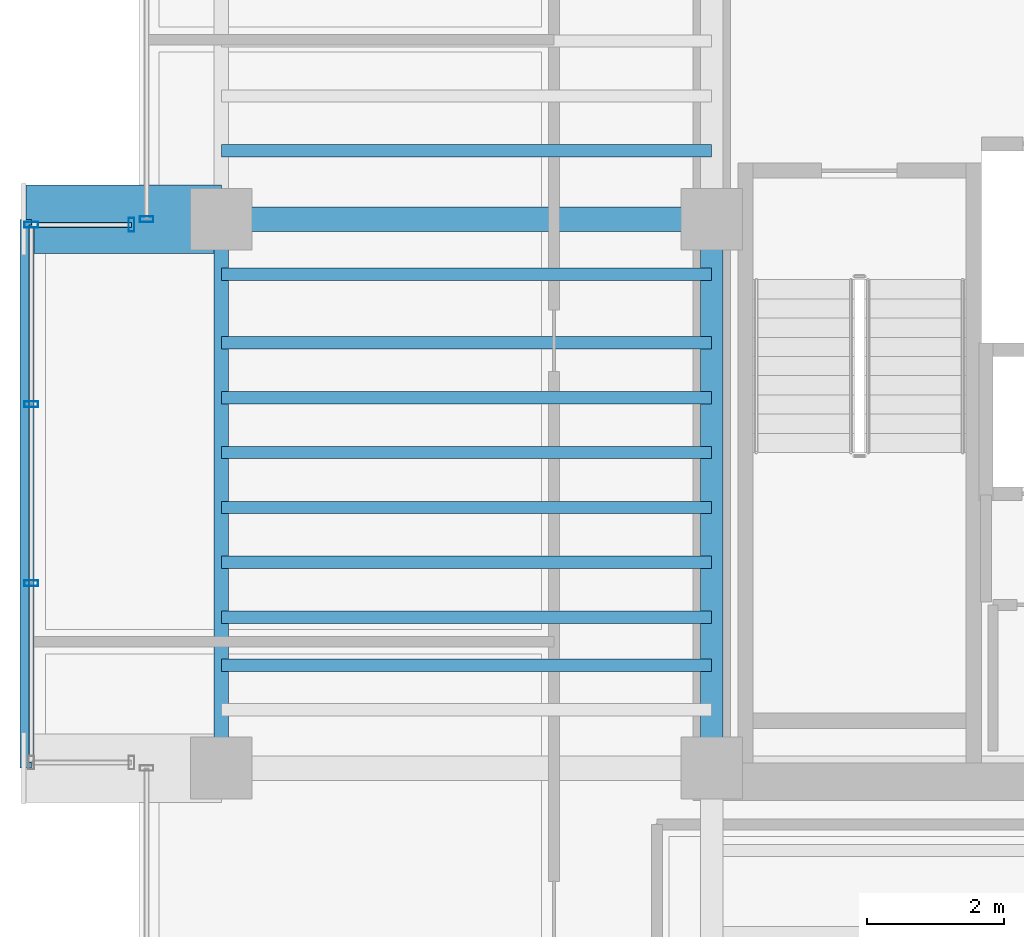
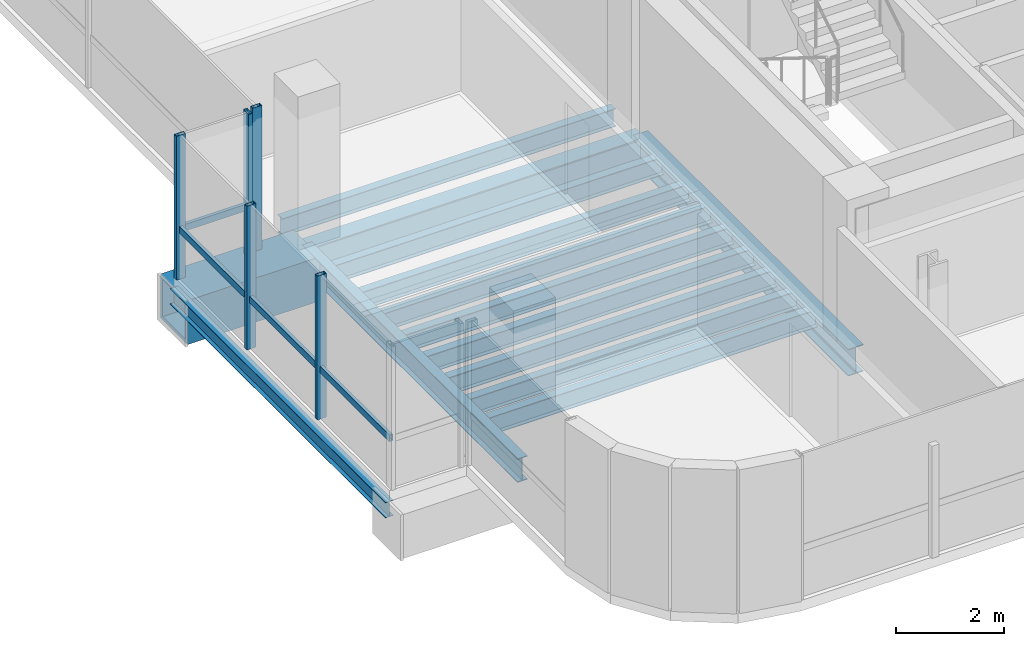
# One storey, part 4 of 22: 14 beams, 7 members, 3 elements without a shape of their own.
"""IFC4 building model written with IfcOpenShell, lengths in metres."""

import ifcopenshell
import ifcopenshell.guid

model = None  # the IFC model being written
_history = None  # IfcOwnerHistory: only IFC2X3 demands one
_inside = {}  # id of a spatial element -> (the spatial element, [elements in it])
_under = {}  # id of a project, library or spatial element -> (it, [spatial elements below it])
_declared = {}  # id of a project -> (the project, [libraries it declares])
_typed = {}  # id of a type object -> (the type object, [elements of that type])
_made_of = {}  # id of a material, layer set ... -> (it, [elements and type objects made of it])


def new_model(schema):
    """Start an empty IFC model of exactly this schema.

    Asked for "IFC4X3", IfcOpenShell would pick the latest addendum, in which some entities
    have other attributes; the version numbers below select the first issue.
    IFC2X3 requires an IfcOwnerHistory on every rooted entity: one is made here for all.
    """
    global model, _history
    if schema == "IFC4X3":
        model = ifcopenshell.file(schema_version=(4, 3, 0, 0))
    else:
        model = ifcopenshell.file(schema=schema)
    _inside.clear()
    _under.clear()
    _declared.clear()
    _typed.clear()
    _made_of.clear()
    _history = None
    if model.schema == "IFC2X3":
        org = make("IfcOrganization", Name="unknown")
        user = make(
            "IfcPersonAndOrganization",
            ThePerson=make("IfcPerson", FamilyName="unknown"),
            TheOrganization=org,
        )
        app = make(
            "IfcApplication",
            ApplicationDeveloper=org,
            Version="unknown",
            ApplicationFullName="unknown",
            ApplicationIdentifier="unknown",
        )
        _history = make(
            "IfcOwnerHistory",
            OwningUser=user,
            OwningApplication=app,
            ChangeAction="ADDED",
            CreationDate=0,
        )
    return model


def make(cls, **values):
    """One entity of the class cls with the attributes given. An attribute that is None is left unset."""
    return model.create_entity(
        cls, **{name: value for name, value in values.items() if value is not None}
    )


def rooted(cls, **values):
    """An entity with a GlobalId (a new one), such as an element, a storey or a relation."""
    return make(cls, GlobalId=ifcopenshell.guid.new(), OwnerHistory=_history, **values)


def si_unit(unit_type, name, prefix=None):
    """IfcSIUnit, for example si_unit("LENGTHUNIT", "METRE", prefix="MILLI")."""
    return make("IfcSIUnit", UnitType=unit_type, Prefix=prefix, Name=name)


def assignment(units):
    """IfcUnitAssignment: the units of a project."""
    return None if units is None else make("IfcUnitAssignment", Units=units)


def point(xyz):
    """IfcCartesianPoint."""
    return None if xyz is None else make("IfcCartesianPoint", Coordinates=xyz)


def direction(xyz):
    """IfcDirection."""
    return None if xyz is None else make("IfcDirection", DirectionRatios=xyz)


def frame(location, z_axis=None, x_axis=None):
    """IfcAxis2Placement3D, a coordinate frame: its origin and axes. An axis left out is left unset."""
    return make(
        "IfcAxis2Placement3D",
        Location=point(location),
        Axis=direction(z_axis),
        RefDirection=direction(x_axis),
    )


def frame_2d(location, x_axis=None):
    """IfcAxis2Placement2D, a coordinate frame in the plane: its origin and x axis."""
    return make(
        "IfcAxis2Placement2D", Location=point(location), RefDirection=direction(x_axis)
    )


def origin():
    """The frame at (0, 0, 0) with its axes left unset."""
    return frame((0.0, 0.0, 0.0))


def origin_2d():
    """The frame at (0, 0) in the plane with its x axis left unset."""
    return frame_2d((0.0, 0.0))


def place(relative_to, where):
    """IfcLocalPlacement: puts the frame where relative to a parent placement (None: the world)."""
    return make(
        "IfcLocalPlacement", PlacementRelTo=relative_to, RelativePlacement=where
    )


def context(
    kind, dimensions, precision=None, world=None, true_north=None, identifier=None
):
    """IfcGeometricRepresentationContext, for example the 3D "Model" context."""
    return make(
        "IfcGeometricRepresentationContext",
        ContextIdentifier=identifier,
        ContextType=kind,
        CoordinateSpaceDimension=dimensions,
        Precision=precision,
        WorldCoordinateSystem=world,
        TrueNorth=true_north,
    )


def subcontext(parent, identifier, kind, view, scale=None):
    """IfcGeometricRepresentationSubContext, for example "Body" below "Model"."""
    return make(
        "IfcGeometricRepresentationSubContext",
        ContextIdentifier=identifier,
        ContextType=kind,
        ParentContext=parent,
        TargetScale=scale,
        TargetView=view,
    )


def project(units=None, contexts=None):
    """IfcProject with its units and contexts."""
    return rooted(
        "IfcProject",
        Name="project",
        RepresentationContexts=contexts,
        UnitsInContext=assignment(units),
    )


def spatial(cls, under=None, at=None, **own):
    """A site, building, storey or space (cls), placed at a placement, below another one or the project."""
    s = rooted(cls, ObjectPlacement=at, **own)
    if under is not None:
        _under.setdefault(under.id(), (under, []))[1].append(s)
    return s


def profile(cls, at=None, kind="AREA", **sizes):
    """A parametric profile (cls). Its sizes go by their IFC names, for example OverallWidth=200.0."""
    return make(cls, ProfileType=kind, Position=at, **sizes)


def hollow_rectangle(**sizes):
    """IfcRectangleHollowProfileDef."""
    return profile("IfcRectangleHollowProfileDef", **sizes)


def i_section(**sizes):
    """IfcIShapeProfileDef."""
    return profile("IfcIShapeProfileDef", **sizes)


def extrude(swept, where, along, depth):
    """IfcExtrudedAreaSolid: the profile swept, set in the frame where, extruded along a direction by depth."""
    return make(
        "IfcExtrudedAreaSolid",
        SweptArea=swept,
        Position=where,
        ExtrudedDirection=direction(along),
        Depth=depth,
    )


def shape(context_of_items, identifier, shape_type, items):
    """IfcShapeRepresentation: the items that make up one representation, for example the "Body"."""
    return make(
        "IfcShapeRepresentation",
        ContextOfItems=context_of_items,
        RepresentationIdentifier=identifier,
        RepresentationType=shape_type,
        Items=items,
    )


def source(mapping_origin, context_of_items, identifier, shape_type, items):
    """IfcRepresentationMap: a shape defined once, which mapped items show again and again."""
    return make(
        "IfcRepresentationMap",
        MappingOrigin=mapping_origin,
        MappedRepresentation=shape(context_of_items, identifier, shape_type, items),
    )


def transform(
    local_origin,
    x_axis=None,
    y_axis=None,
    z_axis=None,
    scale=None,
    scale2=None,
    scale3=None,
    uniform=True,
):
    """IfcCartesianTransformationOperator3D, or its non-uniform kind. x_axis, y_axis, z_axis: its Axis1, 2, 3."""
    if uniform:
        return make(
            "IfcCartesianTransformationOperator3D",
            Axis1=direction(x_axis),
            Axis2=direction(y_axis),
            LocalOrigin=point(local_origin),
            Scale=scale,
            Axis3=direction(z_axis),
        )
    return make(
        "IfcCartesianTransformationOperator3DnonUniform",
        Axis1=direction(x_axis),
        Axis2=direction(y_axis),
        LocalOrigin=point(local_origin),
        Scale=scale,
        Axis3=direction(z_axis),
        Scale2=scale2,
        Scale3=scale3,
    )


def mapped(mapping_source, mapping_target):
    """IfcMappedItem: shows the shape of a source again, moved by a transform."""
    return make(
        "IfcMappedItem", MappingSource=mapping_source, MappingTarget=mapping_target
    )


def material(Name=None, Category=None):
    """IfcMaterial."""
    return make("IfcMaterial", Name=Name, Category=Category)


def material_profile(
    of_material, cross_section, Name=None, Category=None, Priority=None
):
    """IfcMaterialProfile: a cross section and its material."""
    return make(
        "IfcMaterialProfile",
        Name=Name,
        Material=of_material,
        Profile=cross_section,
        Priority=Priority,
        Category=Category,
    )


def profile_set(profiles, Name=None, composite=None):
    """IfcMaterialProfileSet."""
    return make(
        "IfcMaterialProfileSet",
        Name=Name,
        MaterialProfiles=profiles,
        CompositeProfile=composite,
    )


def made_of(thing, what):
    """Note that an element or type object is made of a material, layer set ...; save() writes the relation."""
    if what is not None:
        _made_of.setdefault(what.id(), (what, []))[1].append(thing)
    return thing


def type_object(cls, material=None, **own):
    """A type object (cls), such as IfcWallType, which elements share."""
    return made_of(rooted(cls, **own), material)


def element(
    cls,
    number,
    at=None,
    inside=None,
    cuts=None,
    type_object=None,
    material=None,
    context=None,
    identifier="Body",
    shape_type=None,
    held_by="IfcProductDefinitionShape",
    body=None,
    shapes=None,
    **own,
):
    """One element of the class cls, such as IfcWall. Its Tag is "e" and its number.

    at: its placement. inside: the storey or other place that contains it. cuts: it is an
    opening in that element (IfcRelVoidsElement). A single representation is given by context,
    identifier, shape_type and body (its items); several are given by shapes. held_by: the class
    of the entity that holds the representations. save() writes the other relations.
    """
    e = rooted(cls, Tag="e%d" % number, ObjectPlacement=at, **own)
    if body is not None:
        shapes = [shape(context, identifier, shape_type, body)]
    if shapes is not None:
        e.Representation = make(held_by, Representations=shapes)
    if inside is not None:
        _inside.setdefault(inside.id(), (inside, []))[1].append(e)
    if cuts is not None:
        rooted(
            "IfcRelVoidsElement", RelatingBuildingElement=cuts, RelatedOpeningElement=e
        )
    if type_object is not None:
        _typed.setdefault(type_object.id(), (type_object, []))[1].append(e)
    return made_of(e, material)


def aggregate(whole, parts):
    """IfcRelAggregates: a whole, such as a stair, and the parts it consists of."""
    return rooted("IfcRelAggregates", RelatingObject=whole, RelatedObjects=parts)


def save(model, path):
    """Write the relations noted so far, then the file.

    IfcRelAggregates (storeys below a building ...), IfcRelContainedInSpatialStructure (elements
    in a storey), IfcRelDefinesByType, IfcRelAssociatesMaterial and IfcRelDeclares: one each for
    every whole, place, type object, material and project.
    """
    for whole, parts in _under.values():
        aggregate(whole, parts)
    for where, things in _inside.values():
        rooted(
            "IfcRelContainedInSpatialStructure",
            RelatedElements=things,
            RelatingStructure=where,
        )
    for kind, things in _typed.values():
        rooted("IfcRelDefinesByType", RelatedObjects=things, RelatingType=kind)
    for what, things in _made_of.values():
        rooted("IfcRelAssociatesMaterial", RelatedObjects=things, RelatingMaterial=what)
    for by, libraries in _declared.values():
        rooted("IfcRelDeclares", RelatingContext=by, RelatedDefinitions=libraries)
    model.write(path)


model = new_model("IFC4")

# Units and contexts
model_context = context("Model", 3, precision=1e-05, world=origin(), true_north=direction((0.0, 1.0)))
body_context = subcontext(model_context, "Body", "Model", "MODEL_VIEW")
ifc_project = project(units=[si_unit("LENGTHUNIT", "METRE"), si_unit("AREAUNIT", "SQUARE_METRE"), si_unit("VOLUMEUNIT", "CUBIC_METRE"), si_unit("PLANEANGLEUNIT", "RADIAN"), si_unit("MASSUNIT", "GRAM", prefix="KILO")], contexts=[model_context])

# Site, building, storey
site_placement = place(None, origin())
site = spatial("IfcSite", under=ifc_project, at=site_placement, CompositionType="ELEMENT")
building_placement = place(site_placement, origin())
building = spatial("IfcBuilding", under=site, at=building_placement, Name="Valdorenza Pilgrim Sanctuary Tower", CompositionType="ELEMENT")
storey_placement = place(building_placement, frame((0.0, 0.0, 237.0)))
storey = spatial("IfcBuildingStorey", under=building, at=storey_placement, Name="L61", CompositionType="ELEMENT", Elevation=237.0)

# Beams
ifc_material_1 = material(Name="Steel ASTM A992 Grade 50", Category="steel")
ifc_material_profile_1 = material_profile(ifc_material_1, i_section(OverallWidth=0.323974609375, OverallDepth=0.611083984375, WebThickness=0.0126953125, FlangeThickness=0.01904296875, at=origin_2d()), Name="W24X104")
ifc_profile_set_1 = profile_set([ifc_material_profile_1], Name="Steel ASTM A992 Grade 50")
beam_type_1 = type_object("IfcBeamType", Name="STR-BM-GRD-W24B", PredefinedType="BEAM", material=ifc_profile_set_1)
shared_shape_1 = source(origin(), body_context, "Body", "SweptSolid", [
    extrude(i_section(OverallWidth=0.323974609375, OverallDepth=0.611083984375, WebThickness=0.0126953125, FlangeThickness=0.01904296875, at=origin_2d()), origin(), (0.0, 0.0, 1.0), 8.0),
])
beam_1_placement = place(storey_placement, frame((-22.64990234375, -10.60009765625, -0.54541015625), z_axis=(0.0, 1.0, 0.0), x_axis=(-1.0, 0.0, 0.0)))
element("IfcBeam", 1, at=beam_1_placement, inside=storey, type_object=beam_type_1, Name="L61 Core Tie Girder CA-W-S1M0", PredefinedType="BEAM", context=body_context, shape_type="MappedRepresentation", body=[
    mapped(shared_shape_1, transform((0.0, 0.0, 0.0), x_axis=(1.0, 0.0, 0.0), y_axis=(0.0, 1.0, 0.0), z_axis=(0.0, 0.0, 1.0), scale=1.0)),
])
ifc_material_profile_2 = material_profile(ifc_material_1, i_section(OverallWidth=0.1708984375, OverallDepth=0.35107421875, WebThickness=0.0068359375, FlangeThickness=0.009765625, at=origin_2d()), Name="W14X30")
ifc_profile_set_2 = profile_set([ifc_material_profile_2], Name="Steel ASTM A992 Grade 50")
beam_type_2 = type_object("IfcBeamType", Name="STR-BM-BOX-W14", PredefinedType="BEAM", material=ifc_profile_set_2)
shared_shape_2 = source(origin(), body_context, "Body", "SweptSolid", [
    extrude(i_section(OverallWidth=0.1708984375, OverallDepth=0.35107421875, WebThickness=0.0068359375, FlangeThickness=0.009765625, at=origin_2d()), origin(), (0.0, 0.0, 1.0), 8.0),
])
beam_2_placement = place(storey_placement, frame((-32.64990234375, -10.60009765625, -0.41552734375), z_axis=(0.0, 1.0, 0.0), x_axis=(-1.0, 0.0, 0.0)))
element("IfcBeam", 2, at=beam_2_placement, inside=storey, type_object=beam_type_2, Name="L61 Glass Box Edge Beam BOX-WA-L61-F", PredefinedType="BEAM", context=body_context, shape_type="MappedRepresentation", body=[
    mapped(shared_shape_2, transform((0.0, 0.0, 0.0), x_axis=(1.0, 0.0, 0.0), y_axis=(0.0, 1.0, 0.0), z_axis=(0.0, 0.0, 1.0), scale=1.0)),
])
ifc_material_2 = material(Name="Steel ASTM A572 Grade 42", Category="steel")
ifc_material_profile_3 = material_profile(ifc_material_2, hollow_rectangle(XDim=1.0, YDim=1.0, WallThickness=0.080078125, at=origin_2d()), Name="BOX 1000x1000x80")
ifc_profile_set_3 = profile_set([ifc_material_profile_3], Name="Steel ASTM A572 Grade 42")
beam_type_3 = type_object("IfcBeamType", Name="STR-BM-PROW-CANT", PredefinedType="BEAM", material=ifc_profile_set_3)
shared_shape_3 = source(origin(), body_context, "Body", "SweptSolid", [
    extrude(hollow_rectangle(XDim=1.0, YDim=1.0, WallThickness=0.080078125, at=origin_2d()), origin(), (0.0, 0.0, 1.0), 2.849853515625),
])
beam_3_placement = place(storey_placement, frame((-29.800048828125, -2.60009765625, -0.739990234375), z_axis=(-1.0, 0.0, 0.0), x_axis=(0.0, -1.0, 0.0)))
element("IfcBeam", 3, at=beam_3_placement, inside=storey, type_object=beam_type_3, Name="L61 Glass Box Cantilever Beam BOX-WA-L61-CT-N", PredefinedType="BEAM", context=body_context, shape_type="MappedRepresentation", body=[
    mapped(shared_shape_3, transform((0.0, 0.0, 0.0), x_axis=(1.0, 0.0, 0.0), y_axis=(0.0, 1.0, 0.0), z_axis=(0.0, 0.0, 1.0), scale=1.0)),
])
ifc_material_profile_4 = material_profile(ifc_material_1, i_section(OverallWidth=0.2109375, OverallDepth=0.5390625, WebThickness=0.01171875, FlangeThickness=0.018798828125, at=origin_2d()), Name="W21X73")
ifc_profile_set_4 = profile_set([ifc_material_profile_4], Name="Steel ASTM A992 Grade 50")
beam_type_4 = type_object("IfcBeamType", Name="STR-BM-SPN-W21B", PredefinedType="SPANDREL", material=ifc_profile_set_4)
shared_shape_4 = source(origin(), body_context, "Body", "SweptSolid", [
    extrude(i_section(OverallWidth=0.2109375, OverallDepth=0.5390625, WebThickness=0.01171875, FlangeThickness=0.018798828125, at=origin_2d()), origin(), (0.0, 0.0, 1.0), 8.0),
])
beam_4_placement = place(storey_placement, frame((-29.800048828125, -10.60009765625, -0.509521484375), z_axis=(0.0, 1.0, 0.0), x_axis=(-1.0, 0.0, 0.0)))
element("IfcBeam", 4, at=beam_4_placement, inside=storey, type_object=beam_type_4, Name="L61 Spandrel Beam WA-W-S1M0", PredefinedType="SPANDREL", context=body_context, shape_type="MappedRepresentation", body=[
    mapped(shared_shape_4, transform((0.0, 0.0, 0.0), x_axis=(1.0, 0.0, 0.0), y_axis=(0.0, 1.0, 0.0), z_axis=(0.0, 0.0, 1.0), scale=1.0)),
])
ifc_material_profile_5 = material_profile(ifc_material_1, i_section(OverallWidth=0.35595703125, OverallDepth=0.700927734375, WebThickness=0.016845703125, FlangeThickness=0.02734375, at=origin_2d()), Name="W27X161")
ifc_profile_set_5 = profile_set([ifc_material_profile_5], Name="Steel ASTM A992 Grade 50")
beam_type_5 = type_object("IfcBeamType", Name="STR-BM-GRD-W27", PredefinedType="BEAM", material=ifc_profile_set_5)
shared_shape_5 = source(origin(), body_context, "Body", "SweptSolid", [
    extrude(i_section(OverallWidth=0.35595703125, OverallDepth=0.700927734375, WebThickness=0.016845703125, FlangeThickness=0.02734375, at=origin_2d()), origin(), (0.0, 0.0, 1.0), 7.150146484375),
])
beam_5_placement = place(storey_placement, frame((-29.800048828125, -2.60009765625, -0.590576171875), z_axis=(1.0, 0.0, 0.0), x_axis=(0.0, 1.0, 0.0)))
element("IfcBeam", 5, at=beam_5_placement, inside=storey, type_object=beam_type_5, Name="L61 Floor Girder WA-XW-M0", PredefinedType="BEAM", context=body_context, shape_type="MappedRepresentation", body=[
    mapped(shared_shape_5, transform((0.0, 0.0, 0.0), x_axis=(1.0, 0.0, 0.0), y_axis=(0.0, 1.0, 0.0), z_axis=(0.0, 0.0, 1.0), scale=1.0)),
])
ifc_material_profile_6 = material_profile(ifc_material_1, i_section(OverallWidth=0.177978515625, OverallDepth=0.406005859375, WebThickness=0.0078125, FlangeThickness=0.0126953125, at=origin_2d()), Name="W16X40")
ifc_profile_set_6 = profile_set([ifc_material_profile_6], Name="Steel ASTM A992 Grade 50")
beam_type_6 = type_object("IfcBeamType", Name="STR-BM-JST-W16", PredefinedType="JOIST", material=ifc_profile_set_6)
shared_shape_6 = source(origin(), body_context, "Body", "SweptSolid", [
    extrude(i_section(OverallWidth=0.177978515625, OverallDepth=0.406005859375, WebThickness=0.0078125, FlangeThickness=0.0126953125, at=origin_2d()), origin(), (0.0, 0.0, 1.0), 7.150146484375),
])
for number, where, z_axis, x_axis, name in (
    (6, (-29.800048828125, -9.10009765625, -0.443115234375), (1.0, 0.0, 0.0), (0.0, 1.0, 0.0), "L61 Composite Floor Joist JST-WA-2"),
    (7, (-29.800048828125, -8.39990234375, -0.443115234375), (1.0, 0.0, 0.0), (0.0, 1.0, 0.0), "L61 Composite Floor Joist JST-WA-3"),
    (8, (-29.800048828125, -7.60009765625, -0.443115234375), (1.0, 0.0, 0.0), (0.0, 1.0, 0.0), "L61 Composite Floor Joist JST-WA-4"),
    (9, (-29.800048828125, -6.800048828125, -0.443115234375), (1.0, 0.0, 0.0), (0.0, 1.0, 0.0), "L61 Composite Floor Joist JST-WA-5"),
    (10, (-29.800048828125, -6.0, -0.443115234375), (1.0, 0.0, 0.0), (0.0, 1.0, 0.0), "L61 Composite Floor Joist JST-WA-6"),
    (11, (-29.800048828125, -5.199951171875, -0.443115234375), (1.0, 0.0, 0.0), (0.0, 1.0, 0.0), "L61 Composite Floor Joist JST-WA-7"),
    (12, (-29.800048828125, -4.39990234375, -0.443115234375), (1.0, 0.0, 0.0), (0.0, 1.0, 0.0), "L61 Composite Floor Joist JST-WA-8"),
    (13, (-29.800048828125, -3.39990234375, -0.443115234375), (1.0, 0.0, 0.0), (0.0, 1.0, 0.0), "L61 Composite Floor Joist JST-WA-9"),
    (14, (-29.800048828125, -1.60009765625, -0.443115234375), (1.0, 0.0, 0.0), (0.0, 1.0, 0.0), "L61 Composite Floor Joist JST-WA-10"),
):
    element("IfcBeam", number, at=place(storey_placement, frame(where, z_axis=z_axis, x_axis=x_axis)), inside=storey, type_object=beam_type_6, Name=name, PredefinedType="JOIST", context=body_context, shape_type="MappedRepresentation", body=[
        mapped(shared_shape_6, transform((0.0, 0.0, 0.0), x_axis=(1.0, 0.0, 0.0), y_axis=(0.0, 1.0, 0.0), z_axis=(0.0, 0.0, 1.0), scale=1.0)),
    ])

# Curtain wall, member
ifc_material_3 = material(Name="Curtain-wall IGU glazing", Category="glass")
curtain_wall_type = type_object("IfcCurtainWallType", Name="CW-SYS-02", PredefinedType="NOTDEFINED", material=ifc_material_3)
curtain_wall_1_placement = place(storey_placement, origin())
curtain_wall_1 = element("IfcCurtainWall", 15, at=curtain_wall_1_placement, inside=storey, type_object=curtain_wall_type, Name="L61 Curtain Wall CW-L61-BOX-WA-L61-N", PredefinedType="NOTDEFINED")
ifc_material_4 = material(Name="Anodised aluminium AW-6060", Category="aluminium")
ifc_material_profile_7 = material_profile(ifc_material_4, hollow_rectangle(XDim=0.074951171875, YDim=0.14990234375, WallThickness=0.00390625, at=origin_2d()), Name="ALU-T 150x75x4")
ifc_profile_set_7 = profile_set([ifc_material_profile_7], Name="Anodised aluminium AW-6060")
member_type_1 = type_object("IfcMemberType", Name="CW-TRN-02", PredefinedType="USERDEFINED", material=ifc_profile_set_7)
shared_shape_7 = source(origin(), body_context, "Body", "SweptSolid", [
    extrude(hollow_rectangle(XDim=0.074951171875, YDim=0.14990234375, WallThickness=0.00390625, at=origin_2d()), origin(), (0.0, 0.0, 1.0), 1.4599609375),
])
member_1_placement = place(storey_placement, frame((-32.570068359375, -2.679931640625, 1.1201171875), z_axis=(1.0, 0.0, 0.0), x_axis=(0.0, 1.0, 0.0)))
member_1 = element("IfcMember", 16, at=member_1_placement, type_object=member_type_1, Name="CW-L61-BOX-WA-L61-N Transom 1", ObjectType="TRANSOM", PredefinedType="USERDEFINED", context=body_context, shape_type="MappedRepresentation", body=[
    mapped(shared_shape_7, transform((0.0, 0.0, 0.0), x_axis=(1.0, 0.0, 0.0), y_axis=(0.0, 1.0, 0.0), z_axis=(0.0, 0.0, 1.0), scale=1.0)),
])

curtain_wall_2_placement = place(storey_placement, origin())
curtain_wall_2 = element("IfcCurtainWall", 17, at=curtain_wall_2_placement, inside=storey, type_object=curtain_wall_type, Name="L61 Curtain Wall CW-L61-BOX-WA-L61-F", PredefinedType="NOTDEFINED")
shared_shape_8 = source(origin(), body_context, "Body", "SweptSolid", [
    extrude(hollow_rectangle(XDim=0.074951171875, YDim=0.14990234375, WallThickness=0.00390625, at=origin_2d()), origin(), (0.0, 0.0, 1.0), 7.840087890625),
])
member_2_placement = place(storey_placement, frame((-32.570068359375, -10.52001953125, 1.1201171875), z_axis=(0.0, 1.0, 0.0), x_axis=(-1.0, 0.0, 0.0)))
member_2 = element("IfcMember", 18, at=member_2_placement, type_object=member_type_1, Name="CW-L61-BOX-WA-L61-F Transom 1", ObjectType="TRANSOM", PredefinedType="USERDEFINED", context=body_context, shape_type="MappedRepresentation", body=[
    mapped(shared_shape_8, transform((0.0, 0.0, 0.0), x_axis=(1.0, 0.0, 0.0), y_axis=(0.0, 1.0, 0.0), z_axis=(0.0, 0.0, 1.0), scale=1.0)),
])

curtain_wall_3_placement = place(storey_placement, origin())
curtain_wall_3 = element("IfcCurtainWall", 19, at=curtain_wall_3_placement, inside=storey, type_object=curtain_wall_type, Name="L61 Curtain Wall CW-L61-1-1S2", PredefinedType="NOTDEFINED")
ifc_material_profile_8 = material_profile(ifc_material_4, hollow_rectangle(XDim=0.0849609375, YDim=0.199951171875, WallThickness=0.0048828125, at=origin_2d()), Name="ALU-M 200x85x5")
ifc_profile_set_8 = profile_set([ifc_material_profile_8], Name="Anodised aluminium AW-6060")
member_type_2 = type_object("IfcMemberType", Name="CW-MUL-02", PredefinedType="MULLION", material=ifc_profile_set_8)
shared_shape_9 = source(origin(), body_context, "Body", "SweptSolid", [
    extrude(hollow_rectangle(XDim=0.0849609375, YDim=0.199951171875, WallThickness=0.0048828125, at=origin_2d()), origin(), (0.0, 0.0, 1.0), 3.260009765625),
])
member_3_placement = place(storey_placement, frame((-30.889892578125, -2.60009765625, 0.0), z_axis=(0.0, 0.0, 1.0), x_axis=(0.0, 1.0, 0.0)))
member_3 = element("IfcMember", 20, at=member_3_placement, type_object=member_type_2, Name="CW-L61-1-1S2 Mullion 1", PredefinedType="MULLION", context=body_context, shape_type="MappedRepresentation", body=[
    mapped(shared_shape_9, transform((0.0, 0.0, 0.0), x_axis=(1.0, 0.0, 0.0), y_axis=(0.0, 1.0, 0.0), z_axis=(0.0, 0.0, 1.0), scale=1.0)),
])
aggregate(curtain_wall_3, [member_3])

# Member
member_4_placement = place(storey_placement, frame((-32.570068359375, -7.90673828125, 0.0), z_axis=(0.0, 0.0, 1.0), x_axis=(0.0, 1.0, 0.0)))
member_4 = element("IfcMember", 21, at=member_4_placement, type_object=member_type_2, Name="CW-L61-BOX-WA-L61-F Mullion 2", PredefinedType="MULLION", context=body_context, shape_type="MappedRepresentation", body=[
    mapped(shared_shape_9, transform((0.0, 0.0, 0.0), x_axis=(1.0, 0.0, 0.0), y_axis=(0.0, 1.0, 0.0), z_axis=(0.0, 0.0, 1.0), scale=1.0)),
])

member_5_placement = place(storey_placement, frame((-32.570068359375, -5.293212890625, 0.0), z_axis=(0.0, 0.0, 1.0), x_axis=(0.0, 1.0, 0.0)))
member_5 = element("IfcMember", 22, at=member_5_placement, type_object=member_type_2, Name="CW-L61-BOX-WA-L61-F Mullion 3", PredefinedType="MULLION", context=body_context, shape_type="MappedRepresentation", body=[
    mapped(shared_shape_9, transform((0.0, 0.0, 0.0), x_axis=(1.0, 0.0, 0.0), y_axis=(0.0, 1.0, 0.0), z_axis=(0.0, 0.0, 1.0), scale=1.0)),
])

member_6_placement = place(storey_placement, frame((-32.570068359375, -2.679931640625, 0.0), z_axis=(0.0, 0.0, 1.0), x_axis=(0.0, 1.0, 0.0)))
member_6 = element("IfcMember", 23, at=member_6_placement, type_object=member_type_2, Name="CW-L61-BOX-WA-L61-F Mullion 4", PredefinedType="MULLION", context=body_context, shape_type="MappedRepresentation", body=[
    mapped(shared_shape_9, transform((0.0, 0.0, 0.0), x_axis=(1.0, 0.0, 0.0), y_axis=(0.0, 1.0, 0.0), z_axis=(0.0, 0.0, 1.0), scale=1.0)),
])

aggregate(curtain_wall_2, [member_4, member_5, member_6, member_2])

member_7_placement = place(storey_placement, frame((-31.110107421875, -2.679931640625, 0.0), z_axis=(0.0, 0.0, 1.0), x_axis=(1.0, 0.0, 0.0)))
member_7 = element("IfcMember", 24, at=member_7_placement, type_object=member_type_2, Name="CW-L61-BOX-WA-L61-N Mullion 2", PredefinedType="MULLION", context=body_context, shape_type="MappedRepresentation", body=[
    mapped(shared_shape_9, transform((0.0, 0.0, 0.0), x_axis=(1.0, 0.0, 0.0), y_axis=(0.0, 1.0, 0.0), z_axis=(0.0, 0.0, 1.0), scale=1.0)),
])

aggregate(curtain_wall_1, [member_7, member_1])

save(model, "model.ifc")
